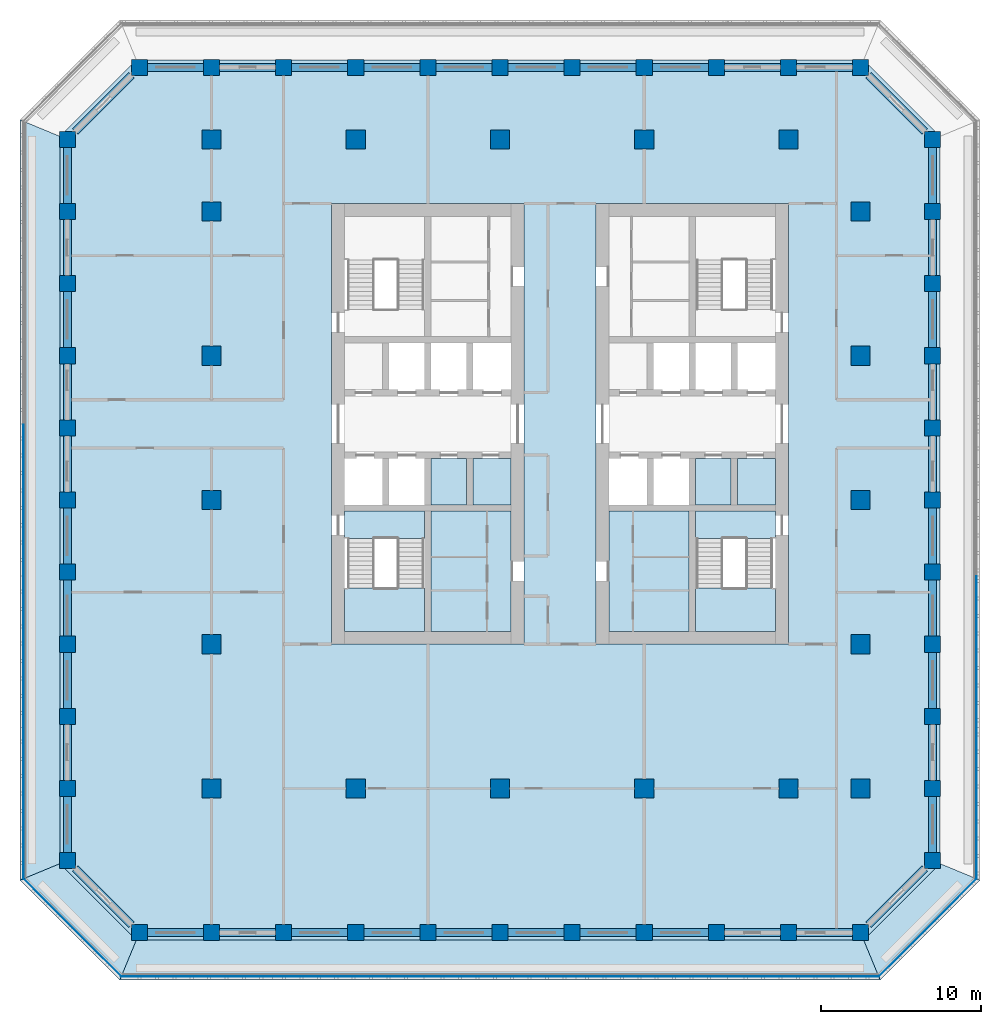
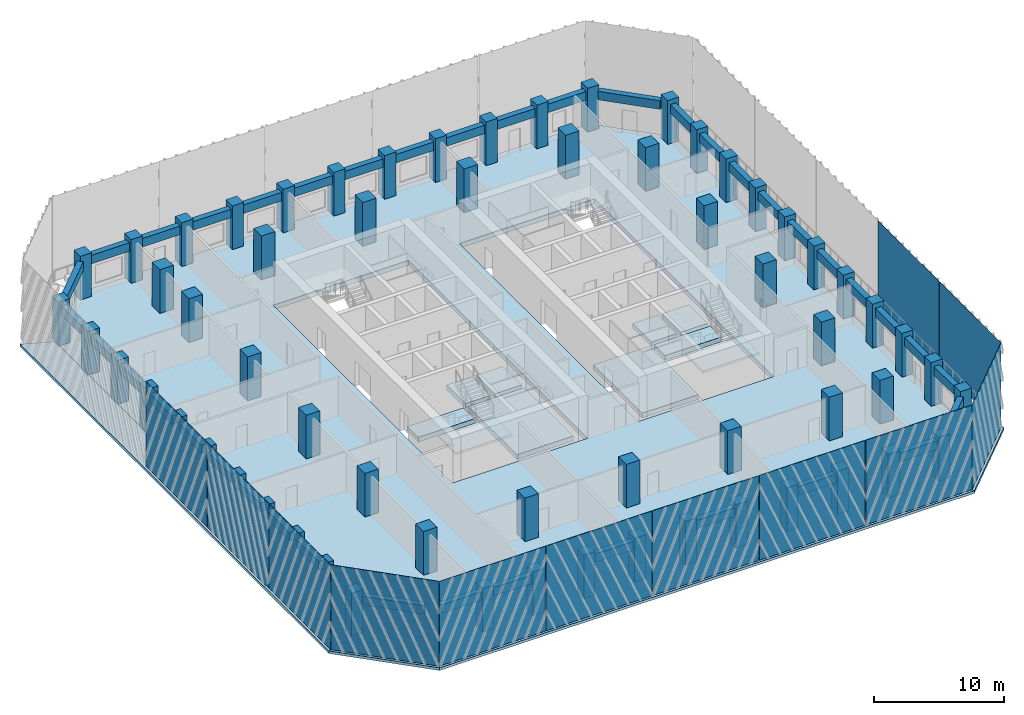
# One storey, part 1 of 16: 63 columns, 44 beams, 15 slabs, 12 plates, 2 elements without a shape of their own.
"""IFC4 building model written with IfcOpenShell, lengths in metres."""

from ifc_helpers import new_model, si_unit, direction, frame, origin, origin_2d, place, context, subcontext, project, spatial, polyline, rectangle, outline, extrude, material, layer, layer_set, material_profile, profile_set, type_object, element, aggregate, save


model = new_model("IFC4")

# Units and contexts
model_context = context("Model", 3, precision=1e-05, world=origin(), true_north=direction((0.0, 1.0)))
body_context = subcontext(model_context, "Body", "Model", "MODEL_VIEW")
ifc_project = project(units=[si_unit("LENGTHUNIT", "METRE"), si_unit("AREAUNIT", "SQUARE_METRE"), si_unit("VOLUMEUNIT", "CUBIC_METRE"), si_unit("PLANEANGLEUNIT", "RADIAN"), si_unit("MASSUNIT", "GRAM", prefix="KILO")], contexts=[model_context])

# Site, building, storey
site_placement = place(None, origin())
site = spatial("IfcSite", under=ifc_project, at=site_placement, CompositionType="ELEMENT")
building_placement = place(site_placement, origin())
building = spatial("IfcBuilding", under=site, at=building_placement, Name="Corbel Stack Research Tower", CompositionType="ELEMENT")
storey_placement = place(building_placement, frame((0.0, 0.0, 165.0)))
storey = spatial("IfcBuildingStorey", under=building, at=storey_placement, Name="L37", CompositionType="ELEMENT", Elevation=165.0)

# Columns
ifc_material_1 = material(Name="Concrete C60/75", Category="concrete")
ifc_material_profile_1 = material_profile(ifc_material_1, rectangle(XDim=1.0, YDim=1.0, at=origin_2d()), Name="RC 1000 x 1000")
ifc_profile_set_1 = profile_set([ifc_material_profile_1], Name="Concrete C60/75")
column_type_1 = type_object("IfcColumnType", Name="C-1000-60", PredefinedType="COLUMN", material=ifc_profile_set_1)
for number, where, z_axis, x_axis, name in (
    (1, (-27.0, -22.5, 0.0), (0.0, 0.0, 1.0), (1.0, 0.0, 0.0), "Column 2/C L37"),
    (2, (-27.0, -18.0, 0.0), (0.0, 0.0, 1.0), (1.0, 0.0, 0.0), "Column 2/D L37"),
    (3, (-27.0, -13.5, 0.0), (0.0, 0.0, 1.0), (1.0, 0.0, 0.0), "Column 2/E L37"),
    (4, (-27.0, -9.0, 0.0), (0.0, 0.0, 1.0), (1.0, 0.0, 0.0), "Column 2/F L37"),
    (5, (-27.0, -4.5, 0.0), (0.0, 0.0, 1.0), (1.0, 0.0, 0.0), "Column 2/G L37"),
    (6, (-27.0, 0.0, 0.0), (0.0, 0.0, 1.0), (1.0, 0.0, 0.0), "Column 2/H L37"),
    (7, (-27.0, 4.5, 0.0), (0.0, 0.0, 1.0), (1.0, 0.0, 0.0), "Column 2/J L37"),
    (8, (-27.0, 9.0, 0.0), (0.0, 0.0, 1.0), (1.0, 0.0, 0.0), "Column 2/K L37"),
    (9, (-27.0, 13.5, 0.0), (0.0, 0.0, 1.0), (1.0, 0.0, 0.0), "Column 2/L L37"),
    (10, (-27.0, 18.0, 0.0), (0.0, 0.0, 1.0), (1.0, 0.0, 0.0), "Column 2/M L37"),
    (11, (-27.0, 22.5, 0.0), (0.0, 0.0, 1.0), (1.0, 0.0, 0.0), "Column 2/N L37"),
    (12, (-22.5, -27.0, 0.0), (0.0, 0.0, 1.0), (1.0, 0.0, 0.0), "Column 3/B L37"),
    (13, (-22.5, 27.0, 0.0), (0.0, 0.0, 1.0), (1.0, 0.0, 0.0), "Column 3/P L37"),
    (14, (-18.0, -27.0, 0.0), (0.0, 0.0, 1.0), (1.0, 0.0, 0.0), "Column 4/B L37"),
    (15, (-18.0, 27.0, 0.0), (0.0, 0.0, 1.0), (1.0, 0.0, 0.0), "Column 4/P L37"),
    (16, (-13.5, -27.0, 0.0), (0.0, 0.0, 1.0), (1.0, 0.0, 0.0), "Column 5/B L37"),
    (17, (-13.5, 27.0, 0.0), (0.0, 0.0, 1.0), (1.0, 0.0, 0.0), "Column 5/P L37"),
    (18, (-9.0, -27.0, 0.0), (0.0, 0.0, 1.0), (1.0, 0.0, 0.0), "Column 6/B L37"),
    (19, (-9.0, 27.0, 0.0), (0.0, 0.0, 1.0), (1.0, 0.0, 0.0), "Column 6/P L37"),
    (20, (-4.5, -27.0, 0.0), (0.0, 0.0, 1.0), (1.0, 0.0, 0.0), "Column 7/B L37"),
    (21, (-4.5, 27.0, 0.0), (0.0, 0.0, 1.0), (1.0, 0.0, 0.0), "Column 7/P L37"),
    (22, (0.0, -27.0, 0.0), (0.0, 0.0, 1.0), (1.0, 0.0, 0.0), "Column 8/B L37"),
    (23, (0.0, 27.0, 0.0), (0.0, 0.0, 1.0), (1.0, 0.0, 0.0), "Column 8/P L37"),
    (24, (4.5, -27.0, 0.0), (0.0, 0.0, 1.0), (1.0, 0.0, 0.0), "Column 9/B L37"),
    (25, (4.5, 27.0, 0.0), (0.0, 0.0, 1.0), (1.0, 0.0, 0.0), "Column 9/P L37"),
    (26, (9.0, -27.0, 0.0), (0.0, 0.0, 1.0), (1.0, 0.0, 0.0), "Column 10/B L37"),
    (27, (9.0, 27.0, 0.0), (0.0, 0.0, 1.0), (1.0, 0.0, 0.0), "Column 10/P L37"),
    (28, (13.5, -27.0, 0.0), (0.0, 0.0, 1.0), (1.0, 0.0, 0.0), "Column 11/B L37"),
    (29, (13.5, 27.0, 0.0), (0.0, 0.0, 1.0), (1.0, 0.0, 0.0), "Column 11/P L37"),
    (30, (18.0, -27.0, 0.0), (0.0, 0.0, 1.0), (1.0, 0.0, 0.0), "Column 12/B L37"),
    (31, (18.0, 27.0, 0.0), (0.0, 0.0, 1.0), (1.0, 0.0, 0.0), "Column 12/P L37"),
    (32, (22.5, -27.0, 0.0), (0.0, 0.0, 1.0), (1.0, 0.0, 0.0), "Column 13/B L37"),
    (33, (22.5, 27.0, 0.0), (0.0, 0.0, 1.0), (1.0, 0.0, 0.0), "Column 13/P L37"),
    (34, (27.0, -22.5, 0.0), (0.0, 0.0, 1.0), (1.0, 0.0, 0.0), "Column 14/C L37"),
    (35, (27.0, -18.0, 0.0), (0.0, 0.0, 1.0), (1.0, 0.0, 0.0), "Column 14/D L37"),
    (36, (27.0, -13.5, 0.0), (0.0, 0.0, 1.0), (1.0, 0.0, 0.0), "Column 14/E L37"),
    (37, (27.0, -9.0, 0.0), (0.0, 0.0, 1.0), (1.0, 0.0, 0.0), "Column 14/F L37"),
    (38, (27.0, -4.5, 0.0), (0.0, 0.0, 1.0), (1.0, 0.0, 0.0), "Column 14/G L37"),
    (39, (27.0, 0.0, 0.0), (0.0, 0.0, 1.0), (1.0, 0.0, 0.0), "Column 14/H L37"),
    (40, (27.0, 4.5, 0.0), (0.0, 0.0, 1.0), (1.0, 0.0, 0.0), "Column 14/J L37"),
    (41, (27.0, 9.0, 0.0), (0.0, 0.0, 1.0), (1.0, 0.0, 0.0), "Column 14/K L37"),
    (42, (27.0, 13.5, 0.0), (0.0, 0.0, 1.0), (1.0, 0.0, 0.0), "Column 14/L L37"),
    (43, (27.0, 18.0, 0.0), (0.0, 0.0, 1.0), (1.0, 0.0, 0.0), "Column 14/M L37"),
    (44, (27.0, 22.5, 0.0), (0.0, 0.0, 1.0), (1.0, 0.0, 0.0), "Column 14/N L37"),
):
    element("IfcColumn", number, at=place(storey_placement, frame(where, z_axis=z_axis, x_axis=x_axis)), inside=storey, type_object=column_type_1, Name=name, PredefinedType="COLUMN", context=body_context, shape_type="SweptSolid", body=[
        extrude(rectangle(XDim=1.0, YDim=1.0, at=origin_2d()), origin(), (0.0, 0.0, 1.0), 4.10009765625),
    ])
ifc_material_2 = material(Name="Concrete C60/75", Category="concrete")
ifc_material_profile_2 = material_profile(ifc_material_2, rectangle(XDim=1.199951171875, YDim=1.199951171875, at=origin_2d()), Name="RC 1200 x 1200")
ifc_profile_set_2 = profile_set([ifc_material_profile_2], Name="Concrete C60/75")
column_type_2 = type_object("IfcColumnType", Name="C-1200-60", PredefinedType="COLUMN", material=ifc_profile_set_2)
for number, where, z_axis, x_axis, name in (
    (45, (-18.0, -18.0, 0.0), (0.0, 0.0, 1.0), (1.0, 0.0, 0.0), "Column 4/D L37"),
    (46, (-18.0, -9.0, 0.0), (0.0, 0.0, 1.0), (1.0, 0.0, 0.0), "Column 4/F L37"),
    (47, (-18.0, 0.0, 0.0), (0.0, 0.0, 1.0), (1.0, 0.0, 0.0), "Column 4/H L37"),
    (48, (-18.0, 9.0, 0.0), (0.0, 0.0, 1.0), (1.0, 0.0, 0.0), "Column 4/K L37"),
    (49, (-18.0, 18.0, 0.0), (0.0, 0.0, 1.0), (1.0, 0.0, 0.0), "Column 4/M L37"),
    (50, (-18.0, 22.5, 0.0), (0.0, 0.0, 1.0), (1.0, 0.0, 0.0), "Column 4/N L37"),
    (51, (-9.0, -18.0, 0.0), (0.0, 0.0, 1.0), (1.0, 0.0, 0.0), "Column 6/D L37"),
    (52, (-9.0, 22.5, 0.0), (0.0, 0.0, 1.0), (1.0, 0.0, 0.0), "Column 6/N L37"),
    (53, (0.0, -18.0, 0.0), (0.0, 0.0, 1.0), (1.0, 0.0, 0.0), "Column 8/D L37"),
    (54, (0.0, 22.5, 0.0), (0.0, 0.0, 1.0), (1.0, 0.0, 0.0), "Column 8/N L37"),
    (55, (9.0, -18.0, 0.0), (0.0, 0.0, 1.0), (1.0, 0.0, 0.0), "Column 10/D L37"),
    (56, (9.0, 22.5, 0.0), (0.0, 0.0, 1.0), (1.0, 0.0, 0.0), "Column 10/N L37"),
    (57, (18.0, -18.0, 0.0), (0.0, 0.0, 1.0), (1.0, 0.0, 0.0), "Column 12/D L37"),
    (58, (18.0, 22.5, 0.0), (0.0, 0.0, 1.0), (1.0, 0.0, 0.0), "Column 12/N L37"),
    (59, (22.5, -18.0, 0.0), (0.0, 0.0, 1.0), (1.0, 0.0, 0.0), "Column 13/D L37"),
    (60, (22.5, -9.0, 0.0), (0.0, 0.0, 1.0), (1.0, 0.0, 0.0), "Column 13/F L37"),
    (61, (22.5, 0.0, 0.0), (0.0, 0.0, 1.0), (1.0, 0.0, 0.0), "Column 13/H L37"),
    (62, (22.5, 9.0, 0.0), (0.0, 0.0, 1.0), (1.0, 0.0, 0.0), "Column 13/K L37"),
    (63, (22.5, 18.0, 0.0), (0.0, 0.0, 1.0), (1.0, 0.0, 0.0), "Column 13/M L37"),
):
    element("IfcColumn", number, at=place(storey_placement, frame(where, z_axis=z_axis, x_axis=x_axis)), inside=storey, type_object=column_type_2, Name=name, PredefinedType="COLUMN", context=body_context, shape_type="SweptSolid", body=[
        extrude(rectangle(XDim=1.199951171875, YDim=1.199951171875, at=origin_2d()), origin(), (0.0, 0.0, 1.0), 4.10009765625),
    ])

# Beams
ifc_material_3 = material(Name="Concrete C60/75", Category="concrete")
ifc_material_profile_3 = material_profile(ifc_material_3, rectangle(XDim=0.5, YDim=0.800048828125, at=origin_2d()), Name="RC 500 x 800")
ifc_profile_set_3 = profile_set([ifc_material_profile_3], Name="Concrete C60/75")
beam_type = type_object("IfcBeamType", Name="SB-500-800-450", PredefinedType="SPANDREL", material=ifc_profile_set_3)
for number, where, z_axis, x_axis, name in (
    (64, (-22.0, -27.0, 3.25), (1.0, 0.0, 0.0), (0.0, 1.0, 0.0), "Spandrel beam L37-01"),
    (65, (-17.5, -27.0, 3.25), (1.0, 0.0, 0.0), (0.0, 1.0, 0.0), "Spandrel beam L37-02"),
    (66, (-13.0, -27.0, 3.25), (1.0, 0.0, 0.0), (0.0, 1.0, 0.0), "Spandrel beam L37-03"),
    (67, (-8.5, -27.0, 3.25), (1.0, 0.0, 0.0), (0.0, 1.0, 0.0), "Spandrel beam L37-04"),
    (68, (-4.0, -27.0, 3.25), (1.0, 0.0, 0.0), (0.0, 1.0, 0.0), "Spandrel beam L37-05"),
    (69, (0.5, -27.0, 3.25), (1.0, 0.0, 0.0), (0.0, 1.0, 0.0), "Spandrel beam L37-06"),
    (70, (5.0, -27.0, 3.25), (1.0, 0.0, 0.0), (0.0, 1.0, 0.0), "Spandrel beam L37-07"),
    (71, (9.5, -27.0, 3.25), (1.0, 0.0, 0.0), (0.0, 1.0, 0.0), "Spandrel beam L37-08"),
    (72, (14.0, -27.0, 3.25), (1.0, 0.0, 0.0), (0.0, 1.0, 0.0), "Spandrel beam L37-09"),
    (73, (18.5, -27.0, 3.25), (1.0, 0.0, 0.0), (0.0, 1.0, 0.0), "Spandrel beam L37-10"),
):
    element("IfcBeam", number, at=place(storey_placement, frame(where, z_axis=z_axis, x_axis=x_axis)), inside=storey, type_object=beam_type, Name=name, PredefinedType="SPANDREL", context=body_context, shape_type="SweptSolid", body=[
        extrude(rectangle(XDim=0.5, YDim=0.800048828125, at=origin_2d()), origin(), (0.0, 0.0, 1.0), 3.5),
    ])
beam_1_placement = place(storey_placement, frame((23.0, -26.5, 3.25), z_axis=(0.707106781187, 0.707106781187, 0.0), x_axis=(-0.707106781187, 0.707106781187, 0.0)))
element("IfcBeam", 74, at=beam_1_placement, inside=storey, type_object=beam_type, Name="Spandrel beam L37-11", PredefinedType="SPANDREL", context=body_context, shape_type="SweptSolid", body=[
    extrude(rectangle(XDim=0.5, YDim=0.800048828125, at=origin_2d()), origin(), (0.0, 0.0, 1.0), 4.94970703125),
])
for number, where, z_axis, x_axis, name in (
    (75, (27.0, -22.0, 3.25), (0.0, 1.0, 0.0), (-1.0, 0.0, 0.0), "Spandrel beam L37-12"),
    (76, (27.0, -17.5, 3.25), (0.0, 1.0, 0.0), (-1.0, 0.0, 0.0), "Spandrel beam L37-13"),
    (77, (27.0, -13.0, 3.25), (0.0, 1.0, 0.0), (-1.0, 0.0, 0.0), "Spandrel beam L37-14"),
    (78, (27.0, -8.5, 3.25), (0.0, 1.0, 0.0), (-1.0, 0.0, 0.0), "Spandrel beam L37-15"),
    (79, (27.0, -4.0, 3.25), (0.0, 1.0, 0.0), (-1.0, 0.0, 0.0), "Spandrel beam L37-16"),
    (80, (27.0, 0.5, 3.25), (0.0, 1.0, 0.0), (-1.0, 0.0, 0.0), "Spandrel beam L37-17"),
    (81, (27.0, 5.0, 3.25), (0.0, 1.0, 0.0), (-1.0, 0.0, 0.0), "Spandrel beam L37-18"),
    (82, (27.0, 9.5, 3.25), (0.0, 1.0, 0.0), (-1.0, 0.0, 0.0), "Spandrel beam L37-19"),
    (83, (27.0, 14.0, 3.25), (0.0, 1.0, 0.0), (-1.0, 0.0, 0.0), "Spandrel beam L37-20"),
    (84, (27.0, 18.5, 3.25), (0.0, 1.0, 0.0), (-1.0, 0.0, 0.0), "Spandrel beam L37-21"),
):
    element("IfcBeam", number, at=place(storey_placement, frame(where, z_axis=z_axis, x_axis=x_axis)), inside=storey, type_object=beam_type, Name=name, PredefinedType="SPANDREL", context=body_context, shape_type="SweptSolid", body=[
        extrude(rectangle(XDim=0.5, YDim=0.800048828125, at=origin_2d()), origin(), (0.0, 0.0, 1.0), 3.5),
    ])
beam_2_placement = place(storey_placement, frame((26.5, 23.0, 3.25), z_axis=(-0.707106781187, 0.707106781187, 0.0), x_axis=(-0.707106781187, -0.707106781187, 0.0)))
element("IfcBeam", 85, at=beam_2_placement, inside=storey, type_object=beam_type, Name="Spandrel beam L37-22", PredefinedType="SPANDREL", context=body_context, shape_type="SweptSolid", body=[
    extrude(rectangle(XDim=0.5, YDim=0.800048828125, at=origin_2d()), origin(), (0.0, 0.0, 1.0), 4.94970703125),
])
for number, where, z_axis, x_axis, name in (
    (86, (22.0, 27.0, 3.25), (-1.0, 0.0, 0.0), (0.0, -1.0, 0.0), "Spandrel beam L37-23"),
    (87, (17.5, 27.0, 3.25), (-1.0, 0.0, 0.0), (0.0, -1.0, 0.0), "Spandrel beam L37-24"),
    (88, (13.0, 27.0, 3.25), (-1.0, 0.0, 0.0), (0.0, -1.0, 0.0), "Spandrel beam L37-25"),
    (89, (8.5, 27.0, 3.25), (-1.0, 0.0, 0.0), (0.0, -1.0, 0.0), "Spandrel beam L37-26"),
    (90, (4.0, 27.0, 3.25), (-1.0, 0.0, 0.0), (0.0, -1.0, 0.0), "Spandrel beam L37-27"),
    (91, (-0.5, 27.0, 3.25), (-1.0, 0.0, 0.0), (0.0, -1.0, 0.0), "Spandrel beam L37-28"),
    (92, (-5.0, 27.0, 3.25), (-1.0, 0.0, 0.0), (0.0, -1.0, 0.0), "Spandrel beam L37-29"),
    (93, (-9.5, 27.0, 3.25), (-1.0, 0.0, 0.0), (0.0, -1.0, 0.0), "Spandrel beam L37-30"),
    (94, (-14.0, 27.0, 3.25), (-1.0, 0.0, 0.0), (0.0, -1.0, 0.0), "Spandrel beam L37-31"),
    (95, (-18.5, 27.0, 3.25), (-1.0, 0.0, 0.0), (0.0, -1.0, 0.0), "Spandrel beam L37-32"),
):
    element("IfcBeam", number, at=place(storey_placement, frame(where, z_axis=z_axis, x_axis=x_axis)), inside=storey, type_object=beam_type, Name=name, PredefinedType="SPANDREL", context=body_context, shape_type="SweptSolid", body=[
        extrude(rectangle(XDim=0.5, YDim=0.800048828125, at=origin_2d()), origin(), (0.0, 0.0, 1.0), 3.5),
    ])
beam_3_placement = place(storey_placement, frame((-23.0, 26.5, 3.25), z_axis=(-0.707106781187, -0.707106781187, 0.0), x_axis=(0.707106781187, -0.707106781187, 0.0)))
element("IfcBeam", 96, at=beam_3_placement, inside=storey, type_object=beam_type, Name="Spandrel beam L37-33", PredefinedType="SPANDREL", context=body_context, shape_type="SweptSolid", body=[
    extrude(rectangle(XDim=0.5, YDim=0.800048828125, at=origin_2d()), origin(), (0.0, 0.0, 1.0), 4.94970703125),
])
for number, where, z_axis, x_axis, name in (
    (97, (-27.0, 22.0, 3.25), (0.0, -1.0, 0.0), (1.0, 0.0, 0.0), "Spandrel beam L37-34"),
    (98, (-27.0, 17.5, 3.25), (0.0, -1.0, 0.0), (1.0, 0.0, 0.0), "Spandrel beam L37-35"),
    (99, (-27.0, 13.0, 3.25), (0.0, -1.0, 0.0), (1.0, 0.0, 0.0), "Spandrel beam L37-36"),
    (100, (-27.0, 8.5, 3.25), (0.0, -1.0, 0.0), (1.0, 0.0, 0.0), "Spandrel beam L37-37"),
    (101, (-27.0, 4.0, 3.25), (0.0, -1.0, 0.0), (1.0, 0.0, 0.0), "Spandrel beam L37-38"),
    (102, (-27.0, -0.5, 3.25), (0.0, -1.0, 0.0), (1.0, 0.0, 0.0), "Spandrel beam L37-39"),
    (103, (-27.0, -5.0, 3.25), (0.0, -1.0, 0.0), (1.0, 0.0, 0.0), "Spandrel beam L37-40"),
    (104, (-27.0, -9.5, 3.25), (0.0, -1.0, 0.0), (1.0, 0.0, 0.0), "Spandrel beam L37-41"),
    (105, (-27.0, -14.0, 3.25), (0.0, -1.0, 0.0), (1.0, 0.0, 0.0), "Spandrel beam L37-42"),
    (106, (-27.0, -18.5, 3.25), (0.0, -1.0, 0.0), (1.0, 0.0, 0.0), "Spandrel beam L37-43"),
):
    element("IfcBeam", number, at=place(storey_placement, frame(where, z_axis=z_axis, x_axis=x_axis)), inside=storey, type_object=beam_type, Name=name, PredefinedType="SPANDREL", context=body_context, shape_type="SweptSolid", body=[
        extrude(rectangle(XDim=0.5, YDim=0.800048828125, at=origin_2d()), origin(), (0.0, 0.0, 1.0), 3.5),
    ])
beam_4_placement = place(storey_placement, frame((-26.5, -23.0, 3.25), z_axis=(0.707106781187, -0.707106781187, 0.0), x_axis=(0.707106781187, 0.707106781187, 0.0)))
element("IfcBeam", 107, at=beam_4_placement, inside=storey, type_object=beam_type, Name="Spandrel beam L37-44", PredefinedType="SPANDREL", context=body_context, shape_type="SweptSolid", body=[
    extrude(rectangle(XDim=0.5, YDim=0.800048828125, at=origin_2d()), origin(), (0.0, 0.0, 1.0), 4.94970703125),
])

# Plates
ifc_material_4 = material(Name="Fritted glass", Category="glass")
ifc_layer_1 = layer(ifc_material_4, 0.02490234375)
ifc_layer_set_1 = layer_set([ifc_layer_1], Name="Fritted glass")
plate_type = type_object("IfcPlateType", Name="Fritted glass panel 25", PredefinedType="SHEET", material=ifc_layer_set_1)
for number, where, z_axis, x_axis, name in (
    (108, (-18.911376953125, -29.737548828125, 0.0), (0.0, 0.0, 1.0), (1.0, 0.0, 0.0), "Fritted glass L37 S1"),
    (109, (-9.45556640625, -29.737548828125, 0.0), (0.0, 0.0, 1.0), (1.0, 0.0, 0.0), "Fritted glass L37 S2"),
    (110, (0.0, -29.737548828125, 0.0), (0.0, 0.0, 1.0), (1.0, 0.0, 0.0), "Fritted glass L37 S3"),
    (111, (9.45556640625, -29.737548828125, 0.0), (0.0, 0.0, 1.0), (1.0, 0.0, 0.0), "Fritted glass L37 S4"),
    (112, (18.911376953125, -29.737548828125, 0.0), (0.0, 0.0, 1.0), (1.0, 0.0, 0.0), "Fritted glass L37 S5"),
):
    element("IfcPlate", number, at=place(storey_placement, frame(where, z_axis=z_axis, x_axis=x_axis)), inside=storey, type_object=plate_type, Name=name, PredefinedType="SHEET", context=body_context, shape_type="SweptSolid", body=[
        extrude(rectangle(XDim=9.3955078125, YDim=0.02490234375, at=origin_2d()), origin(), (0.0, 0.0, 1.0), 7.949951171875),
    ])
plate_1_placement = place(storey_placement, frame((26.685791015625, -26.685791015625, 0.0), z_axis=(0.0, 0.0, 1.0), x_axis=(0.707106781187, 0.707106781187, 0.0)))
element("IfcPlate", 113, at=plate_1_placement, inside=storey, type_object=plate_type, Name="Fritted glass L37 SE1", PredefinedType="SHEET", context=body_context, shape_type="SweptSolid", body=[
    extrude(rectangle(XDim=8.58203125, YDim=0.02490234375, at=origin_2d()), origin(), (0.0, 0.0, 1.0), 7.949951171875),
])
for number, where, z_axis, x_axis, name in (
    (114, (29.737548828125, -18.911376953125, 0.0), (0.0, 0.0, 1.0), (0.0, 1.0, 0.0), "Fritted glass L37 E1"),
    (115, (29.737548828125, -9.45556640625, 0.0), (0.0, 0.0, 1.0), (0.0, 1.0, 0.0), "Fritted glass L37 E2"),
    (116, (-29.737548828125, 0.0, 0.0), (0.0, 0.0, 1.0), (0.0, -1.0, 0.0), "Fritted glass L37 W3"),
    (117, (-29.737548828125, -9.45556640625, 0.0), (0.0, 0.0, 1.0), (0.0, -1.0, 0.0), "Fritted glass L37 W4"),
    (118, (-29.737548828125, -18.911376953125, 0.0), (0.0, 0.0, 1.0), (0.0, -1.0, 0.0), "Fritted glass L37 W5"),
):
    element("IfcPlate", number, at=place(storey_placement, frame(where, z_axis=z_axis, x_axis=x_axis)), inside=storey, type_object=plate_type, Name=name, PredefinedType="SHEET", context=body_context, shape_type="SweptSolid", body=[
        extrude(rectangle(XDim=9.3955078125, YDim=0.02490234375, at=origin_2d()), origin(), (0.0, 0.0, 1.0), 7.949951171875),
    ])
plate_2_placement = place(storey_placement, frame((-26.685791015625, -26.685791015625, 0.0), z_axis=(0.0, 0.0, 1.0), x_axis=(0.707106781187, -0.707106781187, 0.0)))
element("IfcPlate", 119, at=plate_2_placement, inside=storey, type_object=plate_type, Name="Fritted glass L37 SW1", PredefinedType="SHEET", context=body_context, shape_type="SweptSolid", body=[
    extrude(rectangle(XDim=8.58203125, YDim=0.02490234375, at=origin_2d()), origin(), (0.0, 0.0, 1.0), 7.949951171875),
])

# Slabs
ifc_material_5 = material(Name="Concrete C45/55", Category="concrete")
ifc_layer_2 = layer(ifc_material_5, 0.25)
ifc_layer_set_2 = layer_set([ifc_layer_2], Name="Concrete C45/55")
slab_type_1 = type_object("IfcSlabType", Name="PT balcony slab 250 C45/55", PredefinedType="FLOOR", material=ifc_layer_set_2)
slab_1_placement = place(storey_placement, frame((0.0, 0.0, -0.25)))
element("IfcSlab", 120, at=slab_1_placement, inside=storey, type_object=slab_type_1, Name="Loggia slab L37 S", PredefinedType="FLOOR", context=body_context, shape_type="SweptSolid", body=[
    extrude(outline(polyline([(22.70703125, -27.5), (22.0, -27.5), (22.0, -27.449951171875), (18.5, -27.449951171875), (18.5, -27.5), (17.5, -27.5), (17.5, -27.449951171875), (14.0, -27.449951171875), (14.0, -27.5), (13.0, -27.5), (13.0, -27.449951171875), (9.5, -27.449951171875), (9.5, -27.5), (8.5, -27.5), (8.5, -27.449951171875), (5.0, -27.449951171875), (5.0, -27.5), (4.0, -27.5), (4.0, -27.449951171875), (0.5, -27.449951171875), (0.5, -27.5), (-0.5, -27.5), (-0.5, -27.449951171875), (-4.0, -27.449951171875), (-4.0, -27.5), (-5.0, -27.5), (-5.0, -27.449951171875), (-8.5, -27.449951171875), (-8.5, -27.5), (-9.5, -27.5), (-9.5, -27.449951171875), (-13.0, -27.449951171875), (-13.0, -27.5), (-14.0, -27.5), (-14.0, -27.449951171875), (-17.5, -27.449951171875), (-17.5, -27.5), (-18.5, -27.5), (-18.5, -27.449951171875), (-22.0, -27.449951171875), (-22.0, -27.5), (-22.70703125, -27.5), (-23.721923828125, -29.949951171875), (23.721923828125, -29.949951171875), (22.70703125, -27.5)])), origin(), (0.0, 0.0, 1.0), 0.25),
])
slab_2_placement = place(storey_placement, frame((0.0, 0.0, -0.25)))
element("IfcSlab", 121, at=slab_2_placement, inside=storey, type_object=slab_type_1, Name="Loggia slab L37 SE", PredefinedType="FLOOR", context=body_context, shape_type="SweptSolid", body=[
    extrude(outline(polyline([(27.5, -22.70703125), (27.5, -23.0), (27.136474609375, -23.0), (23.0, -27.136474609375), (23.0, -27.5), (22.70703125, -27.5), (23.721923828125, -29.949951171875), (29.949951171875, -23.721923828125), (27.5, -22.70703125)])), origin(), (0.0, 0.0, 1.0), 0.25),
])
slab_3_placement = place(storey_placement, frame((0.0, 0.0, -0.25)))
element("IfcSlab", 122, at=slab_3_placement, inside=storey, type_object=slab_type_1, Name="Loggia slab L37 W", PredefinedType="FLOOR", context=body_context, shape_type="SweptSolid", body=[
    extrude(outline(polyline([(-27.5, -22.70703125), (-27.5, -22.0), (-27.449951171875, -22.0), (-27.449951171875, -18.5), (-27.5, -18.5), (-27.5, -17.5), (-27.449951171875, -17.5), (-27.449951171875, -14.0), (-27.5, -14.0), (-27.5, -13.0), (-27.449951171875, -13.0), (-27.449951171875, -9.5), (-27.5, -9.5), (-27.5, -8.5), (-27.449951171875, -8.5), (-27.449951171875, -5.0), (-27.5, -5.0), (-27.5, -4.0), (-27.449951171875, -4.0), (-27.449951171875, -0.5), (-27.5, -0.5), (-27.5, 0.5), (-27.449951171875, 0.5), (-27.449951171875, 4.0), (-27.5, 4.0), (-27.5, 5.0), (-27.449951171875, 5.0), (-27.449951171875, 8.5), (-27.5, 8.5), (-27.5, 9.5), (-27.449951171875, 9.5), (-27.449951171875, 13.0), (-27.5, 13.0), (-27.5, 14.0), (-27.449951171875, 14.0), (-27.449951171875, 17.5), (-27.5, 17.5), (-27.5, 18.5), (-27.449951171875, 18.5), (-27.449951171875, 22.0), (-27.5, 22.0), (-27.5, 22.70703125), (-29.949951171875, 23.721923828125), (-29.949951171875, -23.721923828125), (-27.5, -22.70703125)])), origin(), (0.0, 0.0, 1.0), 0.25),
])
slab_4_placement = place(storey_placement, frame((0.0, 0.0, -0.25)))
element("IfcSlab", 123, at=slab_4_placement, inside=storey, type_object=slab_type_1, Name="Loggia slab L37 SW", PredefinedType="FLOOR", context=body_context, shape_type="SweptSolid", body=[
    extrude(outline(polyline([(-22.70703125, -27.5), (-23.0, -27.5), (-23.0, -27.136474609375), (-27.136474609375, -23.0), (-27.5, -23.0), (-27.5, -22.70703125), (-29.949951171875, -23.721923828125), (-23.721923828125, -29.949951171875), (-22.70703125, -27.5)])), origin(), (0.0, 0.0, 1.0), 0.25),
])
ifc_material_6 = material(Name="Concrete C45/55", Category="concrete")
ifc_layer_3 = layer(ifc_material_6, 0.449951171875)
ifc_layer_set_3 = layer_set([ifc_layer_3], Name="Concrete C45/55")
slab_type_2 = type_object("IfcSlabType", Name="PT-450", PredefinedType="FLOOR", material=ifc_layer_set_3)
slab_5_placement = place(storey_placement, frame((0.0, 0.0, -0.449951171875)))
element("IfcSlab", 124, at=slab_5_placement, inside=storey, type_object=slab_type_2, Name="Floor slab L37", PredefinedType="FLOOR", context=body_context, shape_type="SweptSolid", body=[
    extrude(outline(polyline([(-22.686279296875, -27.449951171875), (22.686279296875, -27.449951171875), (27.449951171875, -22.686279296875), (27.449951171875, 22.686279296875), (22.686279296875, 27.449951171875), (-22.686279296875, 27.449951171875), (-27.449951171875, 22.686279296875), (-27.449951171875, -22.686279296875), (-22.686279296875, -27.449951171875)]), holes=[polyline([(23.10009765625, 17.39990234375), (21.89990234375, 17.39990234375), (21.89990234375, 18.60009765625), (23.10009765625, 18.60009765625), (23.10009765625, 17.39990234375)]), polyline([(21.89990234375, 8.39990234375), (21.89990234375, 9.60009765625), (23.10009765625, 9.60009765625), (23.10009765625, 8.39990234375), (21.89990234375, 8.39990234375)]), polyline([(23.10009765625, -0.60009765625), (21.89990234375, -0.60009765625), (21.89990234375, 0.60009765625), (23.10009765625, 0.60009765625), (23.10009765625, -0.60009765625)]), polyline([(21.89990234375, -9.60009765625), (21.89990234375, -8.39990234375), (23.10009765625, -8.39990234375), (23.10009765625, -9.60009765625), (21.89990234375, -9.60009765625)]), polyline([(21.89990234375, -18.60009765625), (21.89990234375, -17.39990234375), (23.10009765625, -17.39990234375), (23.10009765625, -18.60009765625), (21.89990234375, -18.60009765625)]), polyline([(17.39990234375, 21.89990234375), (17.39990234375, 23.10009765625), (18.60009765625, 23.10009765625), (18.60009765625, 21.89990234375), (17.39990234375, 21.89990234375)]), polyline([(18.60009765625, -18.60009765625), (17.39990234375, -18.60009765625), (17.39990234375, -17.39990234375), (18.60009765625, -17.39990234375), (18.60009765625, -18.60009765625)]), polyline([(6.0, -9.0), (6.0, 18.5), (18.0, 18.5), (18.0, -9.0), (6.0, -9.0)]), polyline([(8.39990234375, 21.89990234375), (8.39990234375, 23.10009765625), (9.60009765625, 23.10009765625), (9.60009765625, 21.89990234375), (8.39990234375, 21.89990234375)]), polyline([(9.60009765625, -18.60009765625), (8.39990234375, -18.60009765625), (8.39990234375, -17.39990234375), (9.60009765625, -17.39990234375), (9.60009765625, -18.60009765625)]), polyline([(1.5, -9.0), (-10.5, -9.0), (-10.5, 18.5), (1.5, 18.5), (1.5, -9.0)]), polyline([(0.60009765625, 21.89990234375), (-0.60009765625, 21.89990234375), (-0.60009765625, 23.10009765625), (0.60009765625, 23.10009765625), (0.60009765625, 21.89990234375)]), polyline([(0.60009765625, -18.60009765625), (-0.60009765625, -18.60009765625), (-0.60009765625, -17.39990234375), (0.60009765625, -17.39990234375), (0.60009765625, -18.60009765625)]), polyline([(-9.60009765625, 21.89990234375), (-9.60009765625, 23.10009765625), (-8.39990234375, 23.10009765625), (-8.39990234375, 21.89990234375), (-9.60009765625, 21.89990234375)]), polyline([(-8.39990234375, -18.60009765625), (-9.60009765625, -18.60009765625), (-9.60009765625, -17.39990234375), (-8.39990234375, -17.39990234375), (-8.39990234375, -18.60009765625)]), polyline([(-18.60009765625, 21.89990234375), (-18.60009765625, 23.10009765625), (-17.39990234375, 23.10009765625), (-17.39990234375, 21.89990234375), (-18.60009765625, 21.89990234375)]), polyline([(-17.39990234375, 17.39990234375), (-18.60009765625, 17.39990234375), (-18.60009765625, 18.60009765625), (-17.39990234375, 18.60009765625), (-17.39990234375, 17.39990234375)]), polyline([(-17.39990234375, 8.39990234375), (-18.60009765625, 8.39990234375), (-18.60009765625, 9.60009765625), (-17.39990234375, 9.60009765625), (-17.39990234375, 8.39990234375)]), polyline([(-18.60009765625, -0.60009765625), (-18.60009765625, 0.60009765625), (-17.39990234375, 0.60009765625), (-17.39990234375, -0.60009765625), (-18.60009765625, -0.60009765625)]), polyline([(-18.60009765625, -9.60009765625), (-18.60009765625, -8.39990234375), (-17.39990234375, -8.39990234375), (-17.39990234375, -9.60009765625), (-18.60009765625, -9.60009765625)]), polyline([(-17.39990234375, -18.60009765625), (-18.60009765625, -18.60009765625), (-18.60009765625, -17.39990234375), (-17.39990234375, -17.39990234375), (-17.39990234375, -18.60009765625)])]), origin(), (0.0, 0.0, 1.0), 0.449951171875),
])
slab_6_placement = place(storey_placement, frame((0.0, 0.0, -0.449951171875)))
element("IfcSlab", 125, at=slab_6_placement, inside=storey, type_object=slab_type_2, Name="West core floor L37", PredefinedType="FLOOR", context=body_context, shape_type="SweptSolid", body=[
    extrude(outline(polyline([(-4.300048828125, -0.699951171875), (-4.300048828125, -8.199951171875), (0.699951171875, -8.199951171875), (0.699951171875, -0.699951171875), (-4.300048828125, -0.699951171875)])), origin(), (0.0, 0.0, 1.0), 0.449951171875),
])
slab_7_placement = place(storey_placement, frame((0.0, 0.0, -0.449951171875)))
element("IfcSlab", 126, at=slab_7_placement, inside=storey, type_object=slab_type_2, Name="West core floor L37", PredefinedType="FLOOR", context=body_context, shape_type="SweptSolid", body=[
    extrude(outline(polyline([(-2.074951171875, -0.300048828125), (-2.074951171875, 2.60009765625), (-4.300048828125, 2.60009765625), (-4.300048828125, -0.300048828125), (-2.074951171875, -0.300048828125)])), origin(), (0.0, 0.0, 1.0), 0.449951171875),
])
slab_8_placement = place(storey_placement, frame((0.0, 0.0, -0.449951171875)))
element("IfcSlab", 127, at=slab_8_placement, inside=storey, type_object=slab_type_2, Name="West core floor L37", PredefinedType="FLOOR", context=body_context, shape_type="SweptSolid", body=[
    extrude(outline(polyline([(0.699951171875, -0.300048828125), (0.699951171875, 2.60009765625), (-1.675048828125, 2.60009765625), (-1.675048828125, -0.300048828125), (0.699951171875, -0.300048828125)])), origin(), (0.0, 0.0, 1.0), 0.449951171875),
])
slab_9_placement = place(storey_placement, frame((0.0, 0.0, -0.449951171875)))
element("IfcSlab", 128, at=slab_9_placement, inside=storey, type_object=slab_type_2, Name="East core floor L37", PredefinedType="FLOOR", context=body_context, shape_type="SweptSolid", body=[
    extrude(outline(polyline([(6.800048828125, -0.699951171875), (6.800048828125, -8.199951171875), (11.800048828125, -8.199951171875), (11.800048828125, -0.699951171875), (6.800048828125, -0.699951171875)])), origin(), (0.0, 0.0, 1.0), 0.449951171875),
])
slab_10_placement = place(storey_placement, frame((0.0, 0.0, -0.449951171875)))
element("IfcSlab", 129, at=slab_10_placement, inside=storey, type_object=slab_type_2, Name="East core floor L37", PredefinedType="FLOOR", context=body_context, shape_type="SweptSolid", body=[
    extrude(outline(polyline([(14.425048828125, -0.300048828125), (14.425048828125, 2.60009765625), (12.199951171875, 2.60009765625), (12.199951171875, -0.300048828125), (14.425048828125, -0.300048828125)])), origin(), (0.0, 0.0, 1.0), 0.449951171875),
])
slab_11_placement = place(storey_placement, frame((0.0, 0.0, -0.449951171875)))
element("IfcSlab", 130, at=slab_11_placement, inside=storey, type_object=slab_type_2, Name="East core floor L37", PredefinedType="FLOOR", context=body_context, shape_type="SweptSolid", body=[
    extrude(outline(polyline([(17.199951171875, -0.300048828125), (17.199951171875, 2.60009765625), (14.824951171875, 2.60009765625), (14.824951171875, -0.300048828125), (17.199951171875, -0.300048828125)])), origin(), (0.0, 0.0, 1.0), 0.449951171875),
])
slab_12_placement = place(storey_placement, frame((0.0, 0.0, -0.449951171875)))
element("IfcSlab", 131, at=slab_12_placement, inside=storey, type_object=slab_type_2, Name="Stair floor landing ST-W1", PredefinedType="FLOOR", context=body_context, shape_type="SweptSolid", body=[
    extrude(outline(polyline([(-9.699951171875, -2.39990234375), (-4.699951171875, -2.39990234375), (-4.699951171875, -0.699951171875), (-9.699951171875, -0.699951171875), (-9.699951171875, -2.39990234375)])), origin(), (0.0, 0.0, 1.0), 0.449951171875),
])
slab_13_placement = place(storey_placement, frame((0.0, 0.0, -0.449951171875)))
element("IfcSlab", 132, at=slab_13_placement, inside=storey, type_object=slab_type_2, Name="Stair floor landing ST-E1", PredefinedType="FLOOR", context=body_context, shape_type="SweptSolid", body=[
    extrude(outline(polyline([(12.199951171875, -2.39990234375), (17.199951171875, -2.39990234375), (17.199951171875, -0.699951171875), (12.199951171875, -0.699951171875), (12.199951171875, -2.39990234375)])), origin(), (0.0, 0.0, 1.0), 0.449951171875),
])

# Stair, slab
ifc_material_7 = material(Name="Concrete C40/50", Category="concrete")
stair_type = type_object("IfcStairType", Name="Exit stair 24 risers", PredefinedType="HALF_TURN_STAIR", material=ifc_material_7)
stair_1_placement = place(storey_placement, origin())
stair_1 = element("IfcStair", 133, at=stair_1_placement, inside=storey, type_object=stair_type, Name="L37 Exit stair ST-W1", PredefinedType="HALF_TURN_STAIR")
ifc_material_8 = material(Name="Concrete C40/50", Category="concrete")
ifc_layer_4 = layer(ifc_material_8, 0.199951171875)
ifc_layer_set_4 = layer_set([ifc_layer_4], Name="Concrete C40/50")
slab_type_3 = type_object("IfcSlabType", Name="Stair landing 200 C40/50", PredefinedType="LANDING", material=ifc_layer_set_4)
slab_14_placement = place(storey_placement, frame((0.0, 0.0, 1.85009765625)))
slab_14 = element("IfcSlab", 134, at=slab_14_placement, type_object=slab_type_3, Name="ST-W1 landing 1", PredefinedType="LANDING", context=body_context, shape_type="SweptSolid", body=[
    extrude(outline(polyline([(-9.699951171875, -8.199951171875), (-9.699951171875, -5.47998046875), (-4.699951171875, -5.47998046875), (-4.699951171875, -8.199951171875), (-9.699951171875, -8.199951171875)])), origin(), (0.0, 0.0, 1.0), 0.199951171875),
])
aggregate(stair_1, [slab_14])

stair_2_placement = place(storey_placement, origin())
stair_2 = element("IfcStair", 135, at=stair_2_placement, inside=storey, type_object=stair_type, Name="L37 Exit stair ST-E1", PredefinedType="HALF_TURN_STAIR")
slab_15_placement = place(storey_placement, frame((0.0, 0.0, 1.85009765625)))
slab_15 = element("IfcSlab", 136, at=slab_15_placement, type_object=slab_type_3, Name="ST-E1 landing 1", PredefinedType="LANDING", context=body_context, shape_type="SweptSolid", body=[
    extrude(outline(polyline([(12.199951171875, -8.199951171875), (12.199951171875, -5.47998046875), (17.199951171875, -5.47998046875), (17.199951171875, -8.199951171875), (12.199951171875, -8.199951171875)])), origin(), (0.0, 0.0, 1.0), 0.199951171875),
])
aggregate(stair_2, [slab_15])

save(model, "model.ifc")
